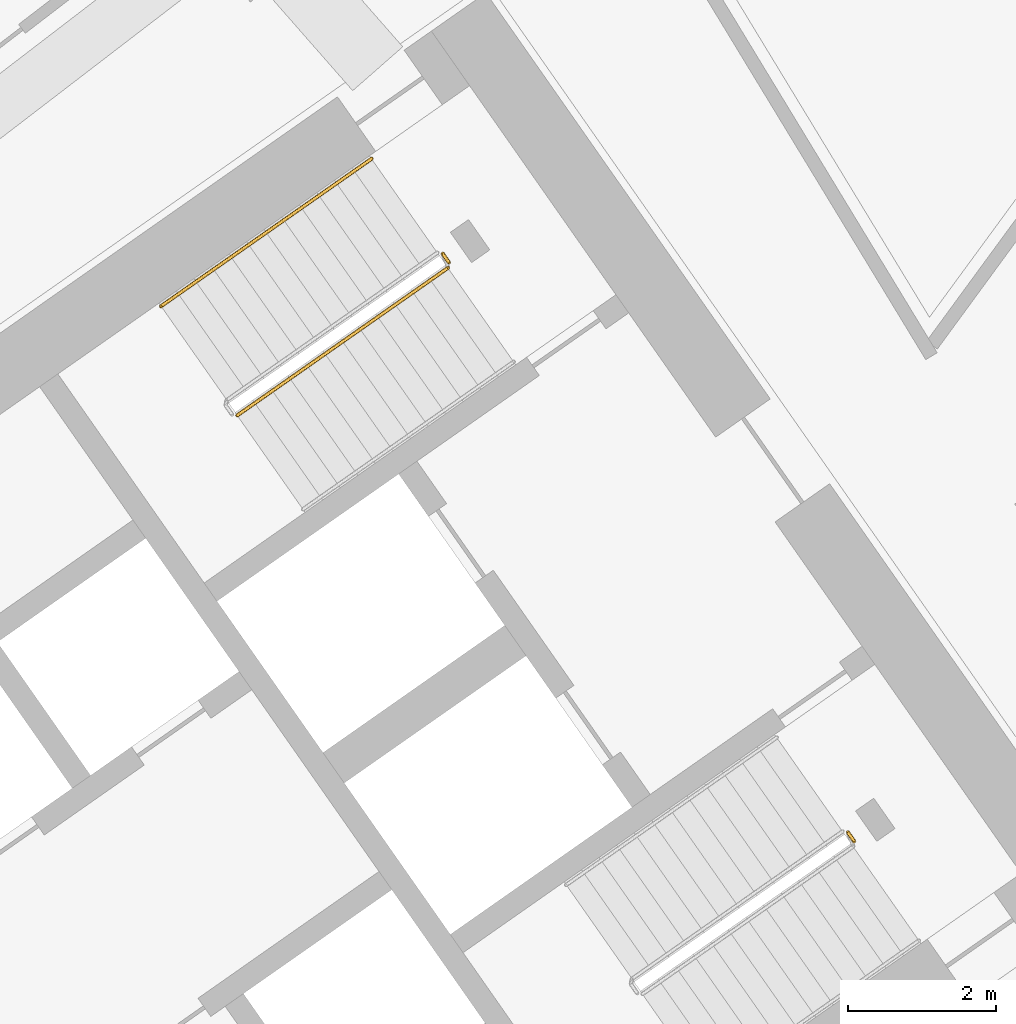
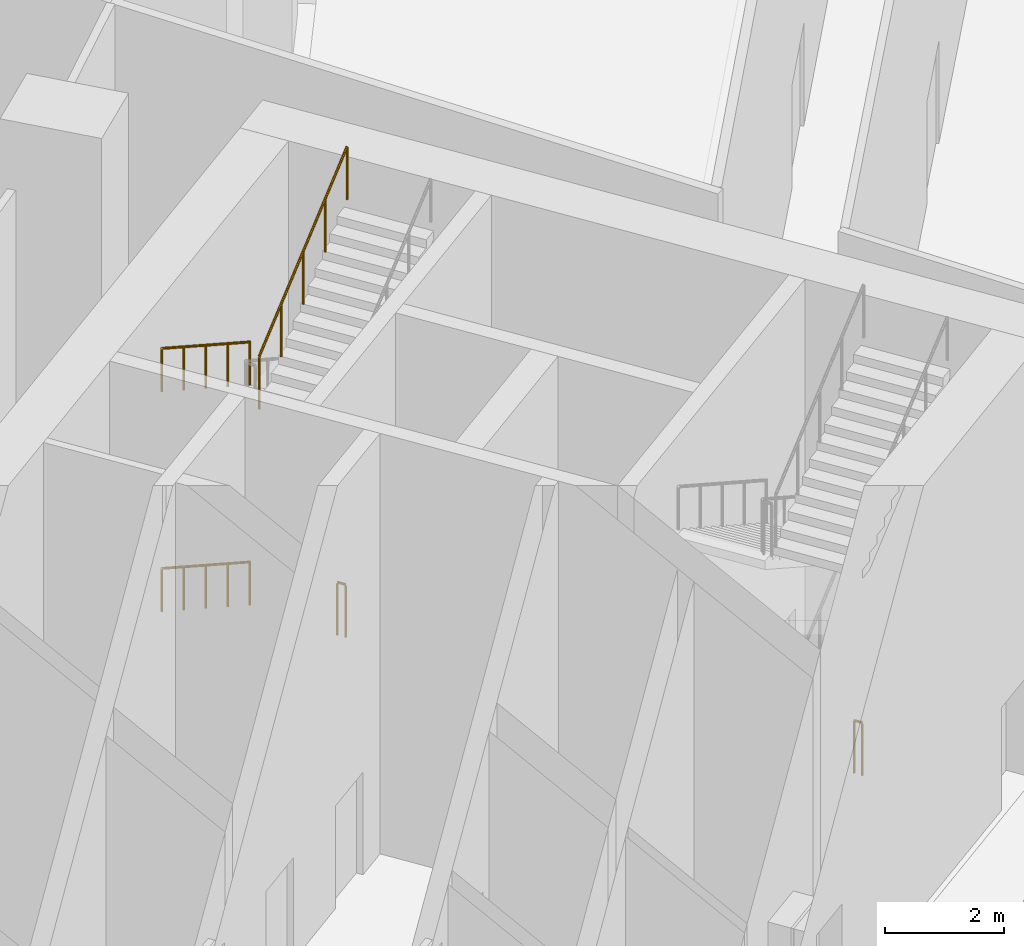
# One storey, part 18 of 19: 5 railings.
"""IFC4 building model written with IfcOpenShell, lengths in metres."""

import ifcopenshell
import ifcopenshell.guid

model = None  # the IFC model being written
_history = None  # IfcOwnerHistory: only IFC2X3 demands one
_inside = {}  # id of a spatial element -> (the spatial element, [elements in it])
_under = {}  # id of a project, library or spatial element -> (it, [spatial elements below it])
_declared = {}  # id of a project -> (the project, [libraries it declares])
_typed = {}  # id of a type object -> (the type object, [elements of that type])
_made_of = {}  # id of a material, layer set ... -> (it, [elements and type objects made of it])


def new_model(schema):
    """Start an empty IFC model of exactly this schema.

    Asked for "IFC4X3", IfcOpenShell would pick the latest addendum, in which some entities
    have other attributes; the version numbers below select the first issue.
    IFC2X3 requires an IfcOwnerHistory on every rooted entity: one is made here for all.
    """
    global model, _history
    if schema == "IFC4X3":
        model = ifcopenshell.file(schema_version=(4, 3, 0, 0))
    else:
        model = ifcopenshell.file(schema=schema)
    _inside.clear()
    _under.clear()
    _declared.clear()
    _typed.clear()
    _made_of.clear()
    _history = None
    if model.schema == "IFC2X3":
        org = make("IfcOrganization", Name="unknown")
        user = make(
            "IfcPersonAndOrganization",
            ThePerson=make("IfcPerson", FamilyName="unknown"),
            TheOrganization=org,
        )
        app = make(
            "IfcApplication",
            ApplicationDeveloper=org,
            Version="unknown",
            ApplicationFullName="unknown",
            ApplicationIdentifier="unknown",
        )
        _history = make(
            "IfcOwnerHistory",
            OwningUser=user,
            OwningApplication=app,
            ChangeAction="ADDED",
            CreationDate=0,
        )
    return model


def make(cls, **values):
    """One entity of the class cls with the attributes given. An attribute that is None is left unset."""
    return model.create_entity(
        cls, **{name: value for name, value in values.items() if value is not None}
    )


def rooted(cls, **values):
    """An entity with a GlobalId (a new one), such as an element, a storey or a relation."""
    return make(cls, GlobalId=ifcopenshell.guid.new(), OwnerHistory=_history, **values)


def si_unit(unit_type, name, prefix=None):
    """IfcSIUnit, for example si_unit("LENGTHUNIT", "METRE", prefix="MILLI")."""
    return make("IfcSIUnit", UnitType=unit_type, Prefix=prefix, Name=name)


def assignment(units):
    """IfcUnitAssignment: the units of a project."""
    return None if units is None else make("IfcUnitAssignment", Units=units)


def point(xyz):
    """IfcCartesianPoint."""
    return None if xyz is None else make("IfcCartesianPoint", Coordinates=xyz)


def direction(xyz):
    """IfcDirection."""
    return None if xyz is None else make("IfcDirection", DirectionRatios=xyz)


def frame(location, z_axis=None, x_axis=None):
    """IfcAxis2Placement3D, a coordinate frame: its origin and axes. An axis left out is left unset."""
    return make(
        "IfcAxis2Placement3D",
        Location=point(location),
        Axis=direction(z_axis),
        RefDirection=direction(x_axis),
    )


def frame_2d(location, x_axis=None):
    """IfcAxis2Placement2D, a coordinate frame in the plane: its origin and x axis."""
    return make(
        "IfcAxis2Placement2D", Location=point(location), RefDirection=direction(x_axis)
    )


def origin():
    """The frame at (0, 0, 0) with its axes left unset."""
    return frame((0.0, 0.0, 0.0))


def origin_2d():
    """The frame at (0, 0) in the plane with its x axis left unset."""
    return frame_2d((0.0, 0.0))


def place(relative_to, where):
    """IfcLocalPlacement: puts the frame where relative to a parent placement (None: the world)."""
    return make(
        "IfcLocalPlacement", PlacementRelTo=relative_to, RelativePlacement=where
    )


def context(
    kind, dimensions, precision=None, world=None, true_north=None, identifier=None
):
    """IfcGeometricRepresentationContext, for example the 3D "Model" context."""
    return make(
        "IfcGeometricRepresentationContext",
        ContextIdentifier=identifier,
        ContextType=kind,
        CoordinateSpaceDimension=dimensions,
        Precision=precision,
        WorldCoordinateSystem=world,
        TrueNorth=true_north,
    )


def subcontext(parent, identifier, kind, view, scale=None):
    """IfcGeometricRepresentationSubContext, for example "Body" below "Model"."""
    return make(
        "IfcGeometricRepresentationSubContext",
        ContextIdentifier=identifier,
        ContextType=kind,
        ParentContext=parent,
        TargetScale=scale,
        TargetView=view,
    )


def project(units=None, contexts=None):
    """IfcProject with its units and contexts."""
    return rooted(
        "IfcProject",
        Name="project",
        RepresentationContexts=contexts,
        UnitsInContext=assignment(units),
    )


def spatial(cls, under=None, at=None, **own):
    """A site, building, storey or space (cls), placed at a placement, below another one or the project."""
    s = rooted(cls, ObjectPlacement=at, **own)
    if under is not None:
        _under.setdefault(under.id(), (under, []))[1].append(s)
    return s


def profile(cls, at=None, kind="AREA", **sizes):
    """A parametric profile (cls). Its sizes go by their IFC names, for example OverallWidth=200.0."""
    return make(cls, ProfileType=kind, Position=at, **sizes)


def circle(**sizes):
    """IfcCircleProfileDef."""
    return profile("IfcCircleProfileDef", **sizes)


def extrude(swept, where, along, depth):
    """IfcExtrudedAreaSolid: the profile swept, set in the frame where, extruded along a direction by depth."""
    return make(
        "IfcExtrudedAreaSolid",
        SweptArea=swept,
        Position=where,
        ExtrudedDirection=direction(along),
        Depth=depth,
    )


def shape(context_of_items, identifier, shape_type, items):
    """IfcShapeRepresentation: the items that make up one representation, for example the "Body"."""
    return make(
        "IfcShapeRepresentation",
        ContextOfItems=context_of_items,
        RepresentationIdentifier=identifier,
        RepresentationType=shape_type,
        Items=items,
    )


def material(Name=None, Category=None):
    """IfcMaterial."""
    return make("IfcMaterial", Name=Name, Category=Category)


def made_of(thing, what):
    """Note that an element or type object is made of a material, layer set ...; save() writes the relation."""
    if what is not None:
        _made_of.setdefault(what.id(), (what, []))[1].append(thing)
    return thing


def type_object(cls, material=None, **own):
    """A type object (cls), such as IfcWallType, which elements share."""
    return made_of(rooted(cls, **own), material)


def element(
    cls,
    number,
    at=None,
    inside=None,
    cuts=None,
    type_object=None,
    material=None,
    context=None,
    identifier="Body",
    shape_type=None,
    held_by="IfcProductDefinitionShape",
    body=None,
    shapes=None,
    **own,
):
    """One element of the class cls, such as IfcWall. Its Tag is "e" and its number.

    at: its placement. inside: the storey or other place that contains it. cuts: it is an
    opening in that element (IfcRelVoidsElement). A single representation is given by context,
    identifier, shape_type and body (its items); several are given by shapes. held_by: the class
    of the entity that holds the representations. save() writes the other relations.
    """
    e = rooted(cls, Tag="e%d" % number, ObjectPlacement=at, **own)
    if body is not None:
        shapes = [shape(context, identifier, shape_type, body)]
    if shapes is not None:
        e.Representation = make(held_by, Representations=shapes)
    if inside is not None:
        _inside.setdefault(inside.id(), (inside, []))[1].append(e)
    if cuts is not None:
        rooted(
            "IfcRelVoidsElement", RelatingBuildingElement=cuts, RelatedOpeningElement=e
        )
    if type_object is not None:
        _typed.setdefault(type_object.id(), (type_object, []))[1].append(e)
    return made_of(e, material)


def aggregate(whole, parts):
    """IfcRelAggregates: a whole, such as a stair, and the parts it consists of."""
    return rooted("IfcRelAggregates", RelatingObject=whole, RelatedObjects=parts)


def save(model, path):
    """Write the relations noted so far, then the file.

    IfcRelAggregates (storeys below a building ...), IfcRelContainedInSpatialStructure (elements
    in a storey), IfcRelDefinesByType, IfcRelAssociatesMaterial and IfcRelDeclares: one each for
    every whole, place, type object, material and project.
    """
    for whole, parts in _under.values():
        aggregate(whole, parts)
    for where, things in _inside.values():
        rooted(
            "IfcRelContainedInSpatialStructure",
            RelatedElements=things,
            RelatingStructure=where,
        )
    for kind, things in _typed.values():
        rooted("IfcRelDefinesByType", RelatedObjects=things, RelatingType=kind)
    for what, things in _made_of.values():
        rooted("IfcRelAssociatesMaterial", RelatedObjects=things, RelatingMaterial=what)
    for by, libraries in _declared.values():
        rooted("IfcRelDeclares", RelatingContext=by, RelatedDefinitions=libraries)
    model.write(path)


model = new_model("IFC4")

# Units and contexts
model_context = context("Model", 3, precision=1e-05, world=origin(), true_north=direction((0.0, 1.0)))
body_context = subcontext(model_context, "Body", "Model", "MODEL_VIEW")
ifc_project = project(units=[si_unit("LENGTHUNIT", "METRE"), si_unit("AREAUNIT", "SQUARE_METRE"), si_unit("VOLUMEUNIT", "CUBIC_METRE"), si_unit("PLANEANGLEUNIT", "RADIAN"), si_unit("MASSUNIT", "GRAM", prefix="KILO")], contexts=[model_context])

# Site, building, storey
site_placement = place(None, origin())
site = spatial("IfcSite", under=ifc_project, at=site_placement, CompositionType="ELEMENT")
building_placement = place(site_placement, origin())
building = spatial("IfcBuilding", under=site, at=building_placement, Name="Qamariyya Broadcast Tower", CompositionType="ELEMENT")
storey_placement = place(building_placement, frame((0.0, 0.0, 9.0)))
storey = spatial("IfcBuildingStorey", under=building, at=storey_placement, Name="L01", CompositionType="ELEMENT", Elevation=9.0)

# Railings
ifc_material_1 = material(Name="Painted steel", Category="steel")
railing_type_1 = type_object("IfcRailingType", Name="Stair guard", PredefinedType="GUARDRAIL", material=ifc_material_1)
railing_1_placement = place(storey_placement, frame((38.2958984375, -50.52099609375, 6.923095703125)))
element("IfcRailing", 1, at=railing_1_placement, inside=storey, type_object=railing_type_1, Name="L01 ST-E2 stair guard 4", PredefinedType="GUARDRAIL", context=body_context, shape_type="SweptSolid", body=[
    extrude(circle(Radius=0.02392578125, at=origin_2d()), frame((0.0, 0.0, 1.076171875), z_axis=(0.703423072377, 0.49252265477, 0.512462111562), x_axis=(-0.573561211868, 0.819162704376, 0.0)), (0.0, 0.0, 1.0), 4.052734375),
    extrude(circle(Radius=0.02099609375, at=origin_2d()), origin(), (0.0, 0.0, 1.0), 1.052001953125),
    extrude(circle(Radius=0.02099609375, at=origin_2d()), frame((0.712646484375, 0.4990234375, 0.519287109375)), (0.0, 0.0, 1.0), 1.052001953125),
    extrude(circle(Radius=0.02099609375, at=origin_2d()), frame((1.42529296875, 0.998046875, 1.03857421875)), (0.0, 0.0, 1.0), 1.052001953125),
    extrude(circle(Radius=0.02099609375, at=origin_2d()), frame((2.13818359375, 1.4970703125, 1.5576171875)), (0.0, 0.0, 1.0), 1.052001953125),
    extrude(circle(Radius=0.02099609375, at=origin_2d()), frame((2.850830078125, 1.99609375, 2.076904296875)), (0.0, 0.0, 1.0), 1.052001953125),
])
railing_2_placement = place(storey_placement, frame((41.072998046875, -48.332275390625, 0.0)))
element("IfcRailing", 2, at=railing_2_placement, inside=storey, type_object=railing_type_1, Name="L01 ST-E2 stair guard 5", PredefinedType="GUARDRAIL", context=body_context, shape_type="SweptSolid", body=[
    extrude(circle(Radius=0.02392578125, at=origin_2d()), frame((0.0, 0.0, 1.076171875), z_axis=(0.572588637393, -0.819842821722, 0.0), x_axis=(0.819842821722, 0.572588637393, 0.0)), (0.0, 0.0, 1.0), 0.150146484375),
    extrude(circle(Radius=0.02099609375, at=origin_2d()), origin(), (0.0, 0.0, 1.0), 1.052001953125),
    extrude(circle(Radius=0.02099609375, at=origin_2d()), frame((0.0859375, -0.123046875, 0.0)), (0.0, 0.0, 1.0), 1.052001953125),
])
railing_3_placement = place(storey_placement, frame((46.550537109375, -56.1552734375, 0.0)))
element("IfcRailing", 3, at=railing_3_placement, inside=storey, type_object=railing_type_1, Name="L01 ST-E1 stair guard 5", PredefinedType="GUARDRAIL", context=body_context, shape_type="SweptSolid", body=[
    extrude(circle(Radius=0.02392578125, at=origin_2d()), frame((0.0, 0.0, 1.076171875), z_axis=(0.574444878118, -0.818543268254, 0.0), x_axis=(0.818543268254, 0.574444878118, 0.0)), (0.0, 0.0, 1.0), 0.150146484375),
    extrude(circle(Radius=0.02099609375, at=origin_2d()), origin(), (0.0, 0.0, 1.0), 1.052001953125),
    extrude(circle(Radius=0.02099609375, at=origin_2d()), frame((0.086181640625, -0.122802734375, 0.0)), (0.0, 0.0, 1.0), 1.052001953125),
])
ifc_material_2 = material(Name="Stainless steel", Category="steel")
railing_type_2 = type_object("IfcRailingType", Name="Stair handrail", PredefinedType="HANDRAIL", material=ifc_material_2)
for number, where, name in (
    (4, (40.1142578125, -47.05029296875, 0.173095703125), "L01 ST-E2 stair handrail 1"),
    (5, (40.1142578125, -47.05029296875, 4.673095703125), "L01 ST-E2 stair handrail 3"),
):
    element("IfcRailing", number, at=place(storey_placement, frame(where)), inside=storey, type_object=railing_type_2, Name=name, PredefinedType="HANDRAIL", context=body_context, shape_type="SweptSolid", body=[
        extrude(circle(Radius=0.02392578125, at=origin_2d()), frame((0.0, 0.0, 0.8759765625), z_axis=(-0.703392637411, -0.492543525477, 0.512483827206), x_axis=(0.573594173421, -0.819139624372, 0.0)), (0.0, 0.0, 1.0), 4.052734375),
        extrude(circle(Radius=0.02099609375, at=origin_2d()), origin(), (0.0, 0.0, 1.0), 0.851806640625),
        extrude(circle(Radius=0.02099609375, at=origin_2d()), frame((-0.712646484375, -0.4990234375, 0.519287109375)), (0.0, 0.0, 1.0), 0.851806640625),
        extrude(circle(Radius=0.02099609375, at=origin_2d()), frame((-1.42529296875, -0.998046875, 1.03857421875)), (0.0, 0.0, 1.0), 0.851806640625),
        extrude(circle(Radius=0.02099609375, at=origin_2d()), frame((-2.137939453125, -1.4970703125, 1.5576171875)), (0.0, 0.0, 1.0), 0.851806640625),
        extrude(circle(Radius=0.02099609375, at=origin_2d()), frame((-2.8505859375, -1.99609375, 2.076904296875)), (0.0, 0.0, 1.0), 0.851806640625),
    ])

save(model, "model.ifc")
